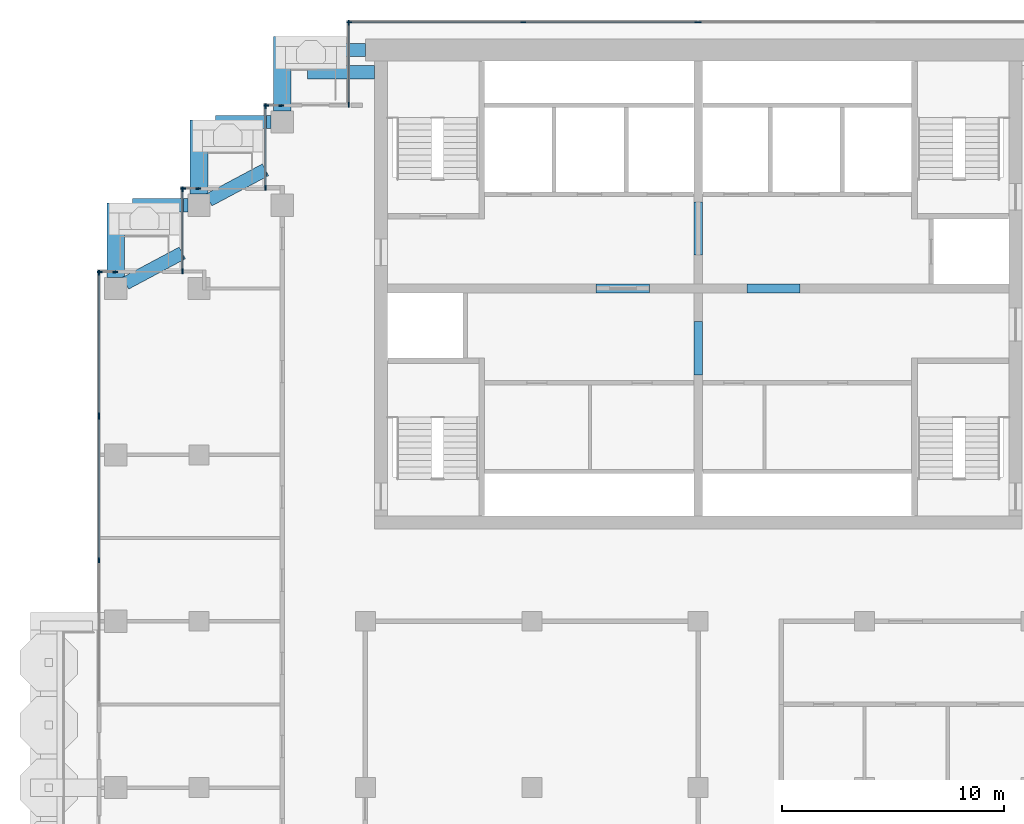
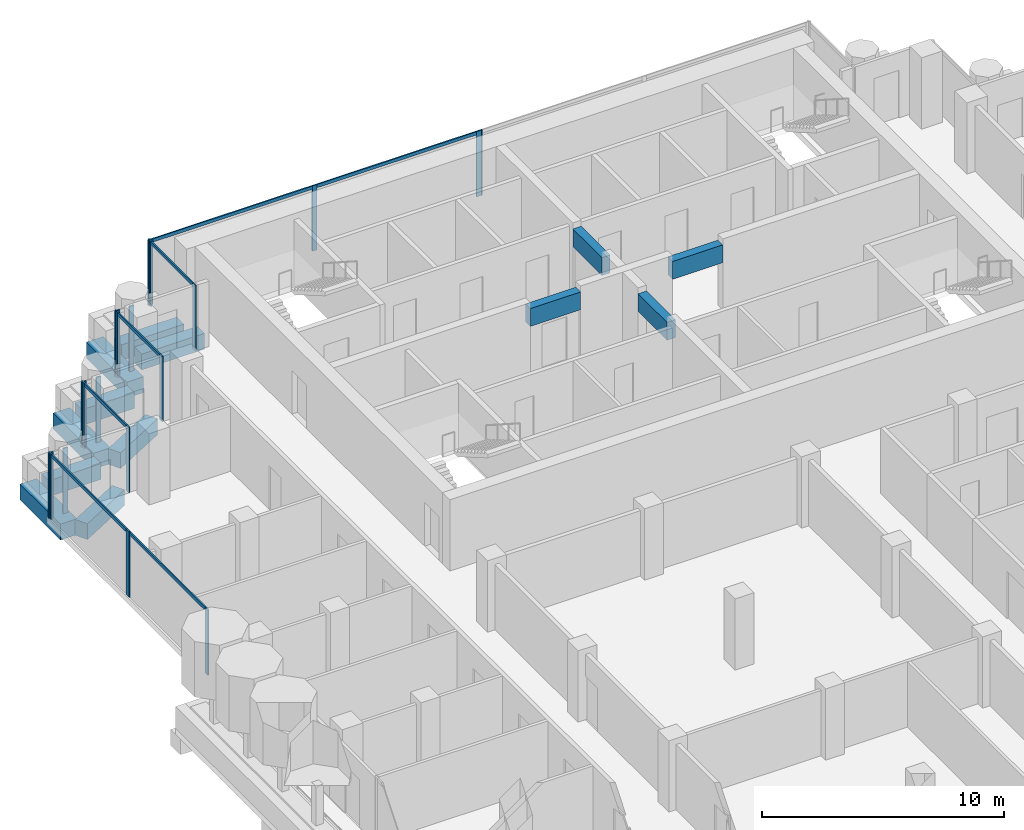
# One storey, part 5 of 19: 27 members, 13 beams, 10 elements without a shape of their own.
"""IFC4 building model written with IfcOpenShell, lengths in metres."""

from ifc_helpers import new_model, si_unit, direction, frame, origin, origin_2d, place, context, subcontext, project, spatial, rectangle, extrude, material, material_profile, profile_set, type_object, element, aggregate, save


model = new_model("IFC4")

# Units and contexts
model_context = context("Model", 3, precision=1e-05, world=origin(), true_north=direction((0.0, 1.0)))
body_context = subcontext(model_context, "Body", "Model", "MODEL_VIEW")
ifc_project = project(units=[si_unit("LENGTHUNIT", "METRE"), si_unit("AREAUNIT", "SQUARE_METRE"), si_unit("VOLUMEUNIT", "CUBIC_METRE"), si_unit("PLANEANGLEUNIT", "RADIAN"), si_unit("MASSUNIT", "GRAM", prefix="KILO")], contexts=[model_context])

# Site, building, storey
site_placement = place(None, origin())
site = spatial("IfcSite", under=ifc_project, at=site_placement, CompositionType="ELEMENT")
building_placement = place(site_placement, origin())
building = spatial("IfcBuilding", under=site, at=building_placement, Name="Pilkhan Gate Tower", CompositionType="ELEMENT")
storey_placement = place(building_placement, frame((0.0, 0.0, 217.5)))
storey = spatial("IfcBuildingStorey", under=building, at=storey_placement, Name="L56", CompositionType="ELEMENT", Elevation=217.5)

# Beams
ifc_material_1 = material(Name="Concrete C50/60", Category="concrete")
ifc_material_profile_1 = material_profile(ifc_material_1, rectangle(XDim=0.60009765625, YDim=0.800048828125, at=origin_2d()), Name="RC 600x800")
ifc_profile_set_1 = profile_set([ifc_material_profile_1], Name="Concrete C50/60")
beam_type_1 = type_object("IfcBeamType", Name="Cantilever beam CB1 RC 600x800 C50/60", PredefinedType="BEAM", material=ifc_profile_set_1)
for number, where, z_axis, x_axis, name in (
    (1, (60.0, 93.25, -0.699951171875), (-1.0, 0.0, 0.0), (0.0, -1.0, 0.0), "Balcony beam NW.2 L56"),
    (2, (60.39990234375, 92.25, -0.699951171875), (-1.0, 0.0, 0.0), (0.0, -1.0, 0.0), "Balcony beam NW.3 L56"),
):
    element("IfcBeam", number, at=place(storey_placement, frame(where, z_axis=z_axis, x_axis=x_axis)), inside=storey, type_object=beam_type_1, Name=name, PredefinedType="BEAM", context=body_context, shape_type="SweptSolid", body=[
        extrude(rectangle(XDim=0.60009765625, YDim=0.800048828125, at=origin_2d()), origin(), (0.0, 0.0, 1.0), 3.0),
    ])
beam_1_placement = place(storey_placement, frame((55.75, 90.0, -0.699951171875), z_axis=(-1.0, 0.0, 0.0), x_axis=(0.0, -1.0, 0.0)))
element("IfcBeam", 3, at=beam_1_placement, inside=storey, type_object=beam_type_1, Name="Balcony beam NW1.2 L56", PredefinedType="BEAM", context=body_context, shape_type="SweptSolid", body=[
    extrude(rectangle(XDim=0.60009765625, YDim=0.800048828125, at=origin_2d()), origin(), (0.0, 0.0, 1.0), 2.5),
])
beam_2_placement = place(storey_placement, frame((52.941162109375, 86.4853515625, -0.699951171875), z_axis=(0.882348280344, 0.470596974251, 0.0), x_axis=(-0.470596974251, 0.882348280344, 0.0)))
element("IfcBeam", 4, at=beam_2_placement, inside=storey, type_object=beam_type_1, Name="Balcony beam NW1.3 L56", PredefinedType="BEAM", context=body_context, shape_type="SweptSolid", body=[
    extrude(rectangle(XDim=0.60009765625, YDim=0.800048828125, at=origin_2d()), origin(), (0.0, 0.0, 1.0), 2.900146484375),
])
beam_3_placement = place(storey_placement, frame((52.0, 86.25, -0.699951171875), z_axis=(-1.0, 0.0, 0.0), x_axis=(0.0, -1.0, 0.0)))
element("IfcBeam", 5, at=beam_3_placement, inside=storey, type_object=beam_type_1, Name="Balcony beam NW2.2 L56", PredefinedType="BEAM", context=body_context, shape_type="SweptSolid", body=[
    extrude(rectangle(XDim=0.60009765625, YDim=0.800048828125, at=origin_2d()), origin(), (0.0, 0.0, 1.0), 2.5),
])
beam_4_placement = place(storey_placement, frame((49.191162109375, 82.7353515625, -0.699951171875), z_axis=(0.882348280344, 0.470596974251, 0.0), x_axis=(-0.470596974251, 0.882348280344, 0.0)))
element("IfcBeam", 6, at=beam_4_placement, inside=storey, type_object=beam_type_1, Name="Balcony beam NW2.3 L56", PredefinedType="BEAM", context=body_context, shape_type="SweptSolid", body=[
    extrude(rectangle(XDim=0.60009765625, YDim=0.800048828125, at=origin_2d()), origin(), (0.0, 0.0, 1.0), 2.900146484375),
])
ifc_material_profile_2 = material_profile(ifc_material_1, rectangle(XDim=0.800048828125, YDim=0.800048828125, at=origin_2d()), Name="RC 800x800")
ifc_profile_set_2 = profile_set([ifc_material_profile_2], Name="Concrete C50/60")
beam_type_2 = type_object("IfcBeamType", Name="Cantilever beam CB2 RC 800x800 C50/60", PredefinedType="BEAM", material=ifc_profile_set_2)
for number, where, z_axis, x_axis, name in (
    (7, (56.25, 90.5, -0.699951171875), (0.0, 1.0, 0.0), (-1.0, 0.0, 0.0), "Balcony beam NW.1 L56"),
    (8, (52.5, 86.75, -0.699951171875), (0.0, 1.0, 0.0), (-1.0, 0.0, 0.0), "Balcony beam NW1.1 L56"),
    (9, (48.75, 83.0, -0.699951171875), (0.0, 1.0, 0.0), (-1.0, 0.0, 0.0), "Balcony beam NW2.1 L56"),
):
    element("IfcBeam", number, at=place(storey_placement, frame(where, z_axis=z_axis, x_axis=x_axis)), inside=storey, type_object=beam_type_2, Name=name, PredefinedType="BEAM", context=body_context, shape_type="SweptSolid", body=[
        extrude(rectangle(XDim=0.800048828125, YDim=0.800048828125, at=origin_2d()), origin(), (0.0, 0.0, 1.0), 3.35009765625),
    ])
ifc_material_profile_3 = material_profile(ifc_material_1, rectangle(XDim=0.39990234375, YDim=0.89990234375, at=origin_2d()), Name="RC 400x900")
ifc_profile_set_3 = profile_set([ifc_material_profile_3], Name="Concrete C50/60")
beam_type_3 = type_object("IfcBeamType", Name="Coupling beam CB90-4 RC 400x900 C50/60", PredefinedType="LINTEL", material=ifc_profile_set_3)
for number, where, z_axis, x_axis, name in (
    (10, (70.39990234375, 82.5, 2.85009765625), (1.0, 0.0, 0.0), (0.0, 1.0, 0.0), "Coupling beam 1 L56"),
    (11, (77.199951171875, 82.5, 2.85009765625), (1.0, 0.0, 0.0), (0.0, 1.0, 0.0), "Coupling beam 2 L56"),
):
    element("IfcBeam", number, at=place(storey_placement, frame(where, z_axis=z_axis, x_axis=x_axis)), inside=storey, type_object=beam_type_3, Name=name, PredefinedType="LINTEL", context=body_context, shape_type="SweptSolid", body=[
        extrude(rectangle(XDim=0.39990234375, YDim=0.89990234375, at=origin_2d()), origin(), (0.0, 0.0, 1.0), 2.400146484375),
    ])
for number, where, z_axis, x_axis, name in (
    (12, (75.0, 78.60009765625, 2.85009765625), (0.0, 1.0, 0.0), (-1.0, 0.0, 0.0), "Coupling beam 3 L56"),
    (13, (75.0, 84.0, 2.85009765625), (0.0, 1.0, 0.0), (-1.0, 0.0, 0.0), "Coupling beam 4 L56"),
):
    element("IfcBeam", number, at=place(storey_placement, frame(where, z_axis=z_axis, x_axis=x_axis)), inside=storey, type_object=beam_type_3, Name=name, PredefinedType="LINTEL", context=body_context, shape_type="SweptSolid", body=[
        extrude(rectangle(XDim=0.39990234375, YDim=0.89990234375, at=origin_2d()), origin(), (0.0, 0.0, 1.0), 2.39990234375),
    ])

# Curtain wall, members
ifc_material_2 = material(Name="Pale anodised aluminium, clear low-iron double glazing", Category="aluminium")
curtain_wall_type = type_object("IfcCurtainWallType", Name="Office unitised curtain wall CW-O2", PredefinedType="USERDEFINED", material=ifc_material_2)
curtain_wall_1_placement = place(storey_placement, origin())
curtain_wall_1 = element("IfcCurtainWall", 14, at=curtain_wall_1_placement, inside=storey, type_object=curtain_wall_type, Name="Office unitised curtain wall CW-O2 L56 N", ObjectType="UNITISED CURTAIN WALL", PredefinedType="USERDEFINED")
ifc_material_3 = material(Name="Pale anodised aluminium", Category="aluminium")
ifc_material_profile_4 = material_profile(ifc_material_3, rectangle(XDim=0.06494140625, YDim=0.22509765625, at=origin_2d()), Name="Mullion 225x65")
ifc_profile_set_4 = profile_set([ifc_material_profile_4], Name="Pale anodised aluminium")
member_type_1 = type_object("IfcMemberType", Name="Mullion CW-O2 225x65", PredefinedType="MULLION", material=ifc_profile_set_4)
member_1_placement = place(storey_placement, frame((59.282470703125, 94.5, 0.0), z_axis=(0.0, 0.0, 1.0), x_axis=(0.0, 1.0, 0.0)))
member_1 = element("IfcMember", 15, at=member_1_placement, type_object=member_type_1, Name="CW-O2 mullion 1", PredefinedType="MULLION", context=body_context, shape_type="SweptSolid", body=[
    extrude(rectangle(XDim=0.06494140625, YDim=0.22509765625, at=origin_2d()), origin(), (0.0, 0.0, 1.0), 3.300048828125),
])
member_2_placement = place(storey_placement, frame((67.125, 94.5, 0.0), z_axis=(0.0, 0.0, 1.0), x_axis=(0.0, 1.0, 0.0)))
member_2 = element("IfcMember", 16, at=member_2_placement, type_object=member_type_1, Name="CW-O2 mullion 2", PredefinedType="MULLION", context=body_context, shape_type="SweptSolid", body=[
    extrude(rectangle(XDim=0.06494140625, YDim=0.22509765625, at=origin_2d()), origin(), (0.0, 0.0, 1.0), 3.300048828125),
])
member_3_placement = place(storey_placement, frame((74.967529296875, 94.5, 0.0), z_axis=(0.0, 0.0, 1.0), x_axis=(0.0, 1.0, 0.0)))
member_3 = element("IfcMember", 17, at=member_3_placement, type_object=member_type_1, Name="CW-O2 mullion 3", PredefinedType="MULLION", context=body_context, shape_type="SweptSolid", body=[
    extrude(rectangle(XDim=0.06494140625, YDim=0.22509765625, at=origin_2d()), origin(), (0.0, 0.0, 1.0), 3.300048828125),
])

# Curtain wall, member
curtain_wall_2_placement = place(storey_placement, origin())
curtain_wall_2 = element("IfcCurtainWall", 18, at=curtain_wall_2_placement, inside=storey, type_object=curtain_wall_type, Name="Office unitised curtain wall CW-O2 L56 N", ObjectType="UNITISED CURTAIN WALL", PredefinedType="USERDEFINED")
member_4_placement = place(storey_placement, frame((75.032470703125, 94.5, 0.0), z_axis=(0.0, 0.0, 1.0), x_axis=(0.0, 1.0, 0.0)))
member_4 = element("IfcMember", 19, at=member_4_placement, type_object=member_type_1, Name="CW-O2 mullion 1", PredefinedType="MULLION", context=body_context, shape_type="SweptSolid", body=[
    extrude(rectangle(XDim=0.06494140625, YDim=0.22509765625, at=origin_2d()), origin(), (0.0, 0.0, 1.0), 3.300048828125),
])
aggregate(curtain_wall_2, [member_4])

# Curtain wall, members
curtain_wall_3_placement = place(storey_placement, origin())
curtain_wall_3 = element("IfcCurtainWall", 20, at=curtain_wall_3_placement, inside=storey, type_object=curtain_wall_type, Name="Office unitised curtain wall CW-O2 L56 W", ObjectType="UNITISED CURTAIN WALL", PredefinedType="USERDEFINED")
member_5_placement = place(storey_placement, frame((59.25, 90.782470703125, 0.0), z_axis=(0.0, 0.0, 1.0), x_axis=(-1.0, 0.0, 0.0)))
member_5 = element("IfcMember", 21, at=member_5_placement, type_object=member_type_1, Name="CW-O2 mullion 1", PredefinedType="MULLION", context=body_context, shape_type="SweptSolid", body=[
    extrude(rectangle(XDim=0.06494140625, YDim=0.22509765625, at=origin_2d()), origin(), (0.0, 0.0, 1.0), 3.300048828125),
])
member_6_placement = place(storey_placement, frame((59.25, 94.467529296875, 0.0), z_axis=(0.0, 0.0, 1.0), x_axis=(-1.0, 0.0, 0.0)))
member_6 = element("IfcMember", 22, at=member_6_placement, type_object=member_type_1, Name="CW-O2 mullion 2", PredefinedType="MULLION", context=body_context, shape_type="SweptSolid", body=[
    extrude(rectangle(XDim=0.06494140625, YDim=0.22509765625, at=origin_2d()), origin(), (0.0, 0.0, 1.0), 3.300048828125),
])

curtain_wall_4_placement = place(storey_placement, origin())
curtain_wall_4 = element("IfcCurtainWall", 23, at=curtain_wall_4_placement, inside=storey, type_object=curtain_wall_type, Name="Office unitised curtain wall CW-O2 L56 N", ObjectType="UNITISED CURTAIN WALL", PredefinedType="USERDEFINED")
member_7_placement = place(storey_placement, frame((55.532470703125, 90.75, 0.0), z_axis=(0.0, 0.0, 1.0), x_axis=(0.0, 1.0, 0.0)))
member_7 = element("IfcMember", 24, at=member_7_placement, type_object=member_type_1, Name="CW-O2 mullion 1", PredefinedType="MULLION", context=body_context, shape_type="SweptSolid", body=[
    extrude(rectangle(XDim=0.06494140625, YDim=0.22509765625, at=origin_2d()), origin(), (0.0, 0.0, 1.0), 3.300048828125),
])
member_8_placement = place(storey_placement, frame((56.217529296875, 90.75, 0.0), z_axis=(0.0, 0.0, 1.0), x_axis=(0.0, 1.0, 0.0)))
member_8 = element("IfcMember", 25, at=member_8_placement, type_object=member_type_1, Name="CW-O2 mullion 2", PredefinedType="MULLION", context=body_context, shape_type="SweptSolid", body=[
    extrude(rectangle(XDim=0.06494140625, YDim=0.22509765625, at=origin_2d()), origin(), (0.0, 0.0, 1.0), 3.300048828125),
])
aggregate(curtain_wall_4, [member_7, member_8])

curtain_wall_5_placement = place(storey_placement, origin())
curtain_wall_5 = element("IfcCurtainWall", 26, at=curtain_wall_5_placement, inside=storey, type_object=curtain_wall_type, Name="Office unitised curtain wall CW-O2 L56 W", ObjectType="UNITISED CURTAIN WALL", PredefinedType="USERDEFINED")
member_9_placement = place(storey_placement, frame((55.5, 87.032470703125, 0.0), z_axis=(0.0, 0.0, 1.0), x_axis=(-1.0, 0.0, 0.0)))
member_9 = element("IfcMember", 27, at=member_9_placement, type_object=member_type_1, Name="CW-O2 mullion 1", PredefinedType="MULLION", context=body_context, shape_type="SweptSolid", body=[
    extrude(rectangle(XDim=0.06494140625, YDim=0.22509765625, at=origin_2d()), origin(), (0.0, 0.0, 1.0), 3.300048828125),
])
member_10_placement = place(storey_placement, frame((55.5, 90.717529296875, 0.0), z_axis=(0.0, 0.0, 1.0), x_axis=(-1.0, 0.0, 0.0)))
member_10 = element("IfcMember", 28, at=member_10_placement, type_object=member_type_1, Name="CW-O2 mullion 2", PredefinedType="MULLION", context=body_context, shape_type="SweptSolid", body=[
    extrude(rectangle(XDim=0.06494140625, YDim=0.22509765625, at=origin_2d()), origin(), (0.0, 0.0, 1.0), 3.300048828125),
])

curtain_wall_6_placement = place(storey_placement, origin())
curtain_wall_6 = element("IfcCurtainWall", 29, at=curtain_wall_6_placement, inside=storey, type_object=curtain_wall_type, Name="Office unitised curtain wall CW-O2 L56 N", ObjectType="UNITISED CURTAIN WALL", PredefinedType="USERDEFINED")
member_11_placement = place(storey_placement, frame((51.782470703125, 87.0, 0.0), z_axis=(0.0, 0.0, 1.0), x_axis=(0.0, 1.0, 0.0)))
member_11 = element("IfcMember", 30, at=member_11_placement, type_object=member_type_1, Name="CW-O2 mullion 1", PredefinedType="MULLION", context=body_context, shape_type="SweptSolid", body=[
    extrude(rectangle(XDim=0.06494140625, YDim=0.22509765625, at=origin_2d()), origin(), (0.0, 0.0, 1.0), 3.300048828125),
])
member_12_placement = place(storey_placement, frame((52.467529296875, 87.0, 0.0), z_axis=(0.0, 0.0, 1.0), x_axis=(0.0, 1.0, 0.0)))
member_12 = element("IfcMember", 31, at=member_12_placement, type_object=member_type_1, Name="CW-O2 mullion 2", PredefinedType="MULLION", context=body_context, shape_type="SweptSolid", body=[
    extrude(rectangle(XDim=0.06494140625, YDim=0.22509765625, at=origin_2d()), origin(), (0.0, 0.0, 1.0), 3.300048828125),
])
aggregate(curtain_wall_6, [member_11, member_12])

curtain_wall_7_placement = place(storey_placement, origin())
curtain_wall_7 = element("IfcCurtainWall", 32, at=curtain_wall_7_placement, inside=storey, type_object=curtain_wall_type, Name="Office unitised curtain wall CW-O2 L56 W", ObjectType="UNITISED CURTAIN WALL", PredefinedType="USERDEFINED")
member_13_placement = place(storey_placement, frame((51.75, 83.282470703125, 0.0), z_axis=(0.0, 0.0, 1.0), x_axis=(-1.0, 0.0, 0.0)))
member_13 = element("IfcMember", 33, at=member_13_placement, type_object=member_type_1, Name="CW-O2 mullion 1", PredefinedType="MULLION", context=body_context, shape_type="SweptSolid", body=[
    extrude(rectangle(XDim=0.06494140625, YDim=0.22509765625, at=origin_2d()), origin(), (0.0, 0.0, 1.0), 3.300048828125),
])
member_14_placement = place(storey_placement, frame((51.75, 86.967529296875, 0.0), z_axis=(0.0, 0.0, 1.0), x_axis=(-1.0, 0.0, 0.0)))
member_14 = element("IfcMember", 34, at=member_14_placement, type_object=member_type_1, Name="CW-O2 mullion 2", PredefinedType="MULLION", context=body_context, shape_type="SweptSolid", body=[
    extrude(rectangle(XDim=0.06494140625, YDim=0.22509765625, at=origin_2d()), origin(), (0.0, 0.0, 1.0), 3.300048828125),
])

curtain_wall_8_placement = place(storey_placement, origin())
curtain_wall_8 = element("IfcCurtainWall", 35, at=curtain_wall_8_placement, inside=storey, type_object=curtain_wall_type, Name="Office unitised curtain wall CW-O2 L56 N", ObjectType="UNITISED CURTAIN WALL", PredefinedType="USERDEFINED")
member_15_placement = place(storey_placement, frame((48.032470703125, 83.25, 0.0), z_axis=(0.0, 0.0, 1.0), x_axis=(0.0, 1.0, 0.0)))
member_15 = element("IfcMember", 36, at=member_15_placement, type_object=member_type_1, Name="CW-O2 mullion 1", PredefinedType="MULLION", context=body_context, shape_type="SweptSolid", body=[
    extrude(rectangle(XDim=0.06494140625, YDim=0.22509765625, at=origin_2d()), origin(), (0.0, 0.0, 1.0), 3.300048828125),
])
member_16_placement = place(storey_placement, frame((48.717529296875, 83.25, 0.0), z_axis=(0.0, 0.0, 1.0), x_axis=(0.0, 1.0, 0.0)))
member_16 = element("IfcMember", 37, at=member_16_placement, type_object=member_type_1, Name="CW-O2 mullion 2", PredefinedType="MULLION", context=body_context, shape_type="SweptSolid", body=[
    extrude(rectangle(XDim=0.06494140625, YDim=0.22509765625, at=origin_2d()), origin(), (0.0, 0.0, 1.0), 3.300048828125),
])
aggregate(curtain_wall_8, [member_15, member_16])

curtain_wall_9_placement = place(storey_placement, origin())
curtain_wall_9 = element("IfcCurtainWall", 38, at=curtain_wall_9_placement, inside=storey, type_object=curtain_wall_type, Name="Office unitised curtain wall CW-O2 L56 W", ObjectType="UNITISED CURTAIN WALL", PredefinedType="USERDEFINED")
member_17_placement = place(storey_placement, frame((48.0, 70.25, 0.0), z_axis=(0.0, 0.0, 1.0), x_axis=(-1.0, 0.0, 0.0)))
member_17 = element("IfcMember", 39, at=member_17_placement, type_object=member_type_1, Name="CW-O2 mullion 2", PredefinedType="MULLION", context=body_context, shape_type="SweptSolid", body=[
    extrude(rectangle(XDim=0.06494140625, YDim=0.22509765625, at=origin_2d()), origin(), (0.0, 0.0, 1.0), 3.300048828125),
])
member_18_placement = place(storey_placement, frame((48.0, 76.717529296875, 0.0), z_axis=(0.0, 0.0, 1.0), x_axis=(-1.0, 0.0, 0.0)))
member_18 = element("IfcMember", 40, at=member_18_placement, type_object=member_type_1, Name="CW-O2 mullion 3", PredefinedType="MULLION", context=body_context, shape_type="SweptSolid", body=[
    extrude(rectangle(XDim=0.06494140625, YDim=0.22509765625, at=origin_2d()), origin(), (0.0, 0.0, 1.0), 3.300048828125),
])

curtain_wall_10_placement = place(storey_placement, origin())
curtain_wall_10 = element("IfcCurtainWall", 41, at=curtain_wall_10_placement, inside=storey, type_object=curtain_wall_type, Name="Office unitised curtain wall CW-O2 L56 W", ObjectType="UNITISED CURTAIN WALL", PredefinedType="USERDEFINED")
member_19_placement = place(storey_placement, frame((48.0, 76.782470703125, 0.0), z_axis=(0.0, 0.0, 1.0), x_axis=(-1.0, 0.0, 0.0)))
member_19 = element("IfcMember", 42, at=member_19_placement, type_object=member_type_1, Name="CW-O2 mullion 1", PredefinedType="MULLION", context=body_context, shape_type="SweptSolid", body=[
    extrude(rectangle(XDim=0.06494140625, YDim=0.22509765625, at=origin_2d()), origin(), (0.0, 0.0, 1.0), 3.300048828125),
])
member_20_placement = place(storey_placement, frame((48.0, 83.217529296875, 0.0), z_axis=(0.0, 0.0, 1.0), x_axis=(-1.0, 0.0, 0.0)))
member_20 = element("IfcMember", 43, at=member_20_placement, type_object=member_type_1, Name="CW-O2 mullion 2", PredefinedType="MULLION", context=body_context, shape_type="SweptSolid", body=[
    extrude(rectangle(XDim=0.06494140625, YDim=0.22509765625, at=origin_2d()), origin(), (0.0, 0.0, 1.0), 3.300048828125),
])

# Member
ifc_material_profile_5 = material_profile(ifc_material_3, rectangle(XDim=0.06494140625, YDim=0.1650390625, at=origin_2d()), Name="Transom 165x65")
ifc_profile_set_5 = profile_set([ifc_material_profile_5], Name="Pale anodised aluminium")
member_type_2 = type_object("IfcMemberType", Name="Transom CW-O2 165x65", PredefinedType="USERDEFINED", material=ifc_profile_set_5)
member_21_placement = place(storey_placement, frame((59.31494140625, 94.5, 3.217529296875), z_axis=(1.0, 0.0, 0.0), x_axis=(0.0, 1.0, 0.0)))
member_21 = element("IfcMember", 44, at=member_21_placement, type_object=member_type_2, Name="CW-O2 transom 1", ObjectType="TRANSOM", PredefinedType="USERDEFINED", context=body_context, shape_type="SweptSolid", body=[
    extrude(rectangle(XDim=0.06494140625, YDim=0.1650390625, at=origin_2d()), origin(), (0.0, 0.0, 1.0), 7.777587890625),
])

member_22_placement = place(storey_placement, frame((67.157470703125, 94.5, 3.217529296875), z_axis=(1.0, 0.0, 0.0), x_axis=(0.0, 1.0, 0.0)))
member_22 = element("IfcMember", 45, at=member_22_placement, type_object=member_type_2, Name="CW-O2 transom 2", ObjectType="TRANSOM", PredefinedType="USERDEFINED", context=body_context, shape_type="SweptSolid", body=[
    extrude(rectangle(XDim=0.06494140625, YDim=0.1650390625, at=origin_2d()), origin(), (0.0, 0.0, 1.0), 7.777587890625),
])

aggregate(curtain_wall_1, [member_1, member_2, member_3, member_21, member_22])

member_23_placement = place(storey_placement, frame((59.25, 90.81494140625, 3.217529296875), z_axis=(0.0, 1.0, 0.0), x_axis=(-1.0, 0.0, 0.0)))
member_23 = element("IfcMember", 46, at=member_23_placement, type_object=member_type_2, Name="CW-O2 transom 1", ObjectType="TRANSOM", PredefinedType="USERDEFINED", context=body_context, shape_type="SweptSolid", body=[
    extrude(rectangle(XDim=0.06494140625, YDim=0.1650390625, at=origin_2d()), origin(), (0.0, 0.0, 1.0), 3.6201171875),
])

aggregate(curtain_wall_3, [member_5, member_6, member_23])

member_24_placement = place(storey_placement, frame((55.5, 87.06494140625, 3.217529296875), z_axis=(0.0, 1.0, 0.0), x_axis=(-1.0, 0.0, 0.0)))
member_24 = element("IfcMember", 47, at=member_24_placement, type_object=member_type_2, Name="CW-O2 transom 1", ObjectType="TRANSOM", PredefinedType="USERDEFINED", context=body_context, shape_type="SweptSolid", body=[
    extrude(rectangle(XDim=0.06494140625, YDim=0.1650390625, at=origin_2d()), origin(), (0.0, 0.0, 1.0), 3.6201171875),
])

aggregate(curtain_wall_5, [member_9, member_10, member_24])

member_25_placement = place(storey_placement, frame((51.75, 83.31494140625, 3.217529296875), z_axis=(0.0, 1.0, 0.0), x_axis=(-1.0, 0.0, 0.0)))
member_25 = element("IfcMember", 48, at=member_25_placement, type_object=member_type_2, Name="CW-O2 transom 1", ObjectType="TRANSOM", PredefinedType="USERDEFINED", context=body_context, shape_type="SweptSolid", body=[
    extrude(rectangle(XDim=0.06494140625, YDim=0.1650390625, at=origin_2d()), origin(), (0.0, 0.0, 1.0), 3.6201171875),
])

aggregate(curtain_wall_7, [member_13, member_14, member_25])

member_26_placement = place(storey_placement, frame((48.0, 70.282470703125, 3.217529296875), z_axis=(0.0, 1.0, 0.0), x_axis=(-1.0, 0.0, 0.0)))
member_26 = element("IfcMember", 49, at=member_26_placement, type_object=member_type_2, Name="CW-O2 transom 2", ObjectType="TRANSOM", PredefinedType="USERDEFINED", context=body_context, shape_type="SweptSolid", body=[
    extrude(rectangle(XDim=0.06494140625, YDim=0.1650390625, at=origin_2d()), origin(), (0.0, 0.0, 1.0), 6.402587890625),
])

aggregate(curtain_wall_9, [member_17, member_18, member_26])

member_27_placement = place(storey_placement, frame((48.0, 76.81494140625, 3.217529296875), z_axis=(0.0, 1.0, 0.0), x_axis=(-1.0, 0.0, 0.0)))
member_27 = element("IfcMember", 50, at=member_27_placement, type_object=member_type_2, Name="CW-O2 transom 1", ObjectType="TRANSOM", PredefinedType="USERDEFINED", context=body_context, shape_type="SweptSolid", body=[
    extrude(rectangle(XDim=0.06494140625, YDim=0.1650390625, at=origin_2d()), origin(), (0.0, 0.0, 1.0), 6.3701171875),
])

aggregate(curtain_wall_10, [member_19, member_20, member_27])

save(model, "model.ifc")
